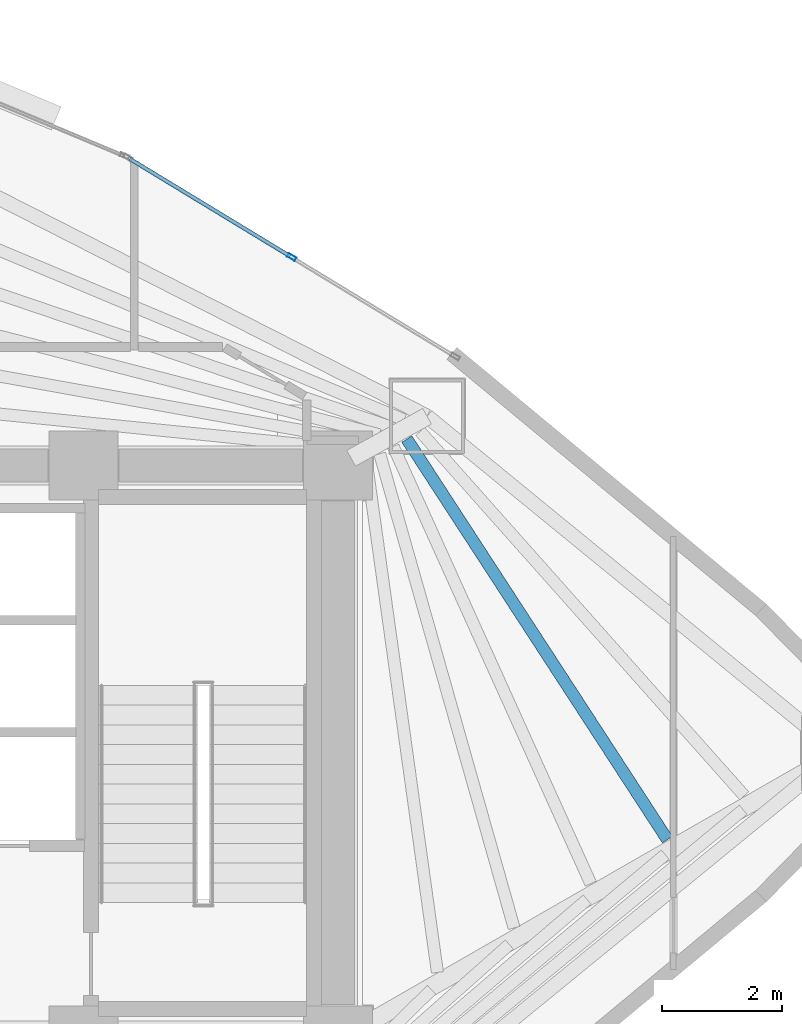
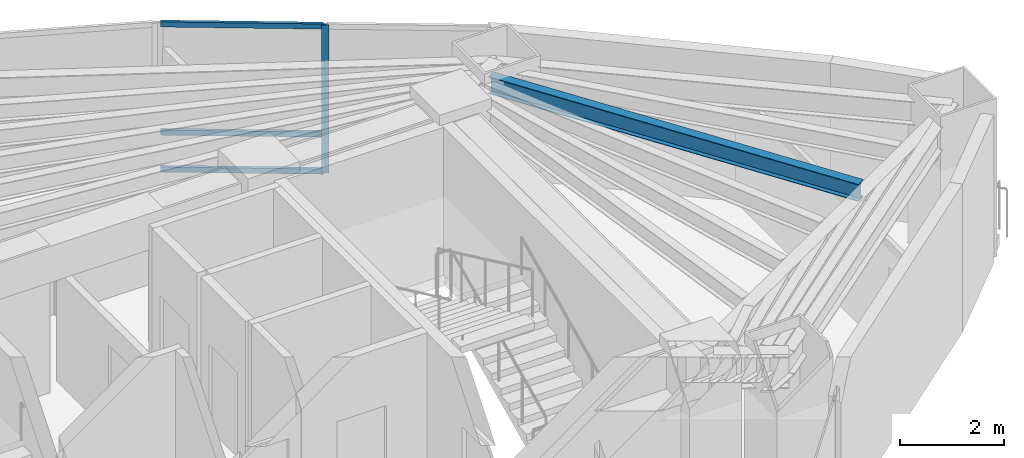
# One storey, part 11 of 18: 4 members, 1 beam, 1 element without a shape of its own.
"""IFC4 building model written with IfcOpenShell, lengths in metres."""

from ifc_helpers import new_model, si_unit, direction, frame, origin, origin_2d, place, context, subcontext, project, spatial, hollow_rectangle, i_section, extrude, material, layer, layer_set, material_profile, profile_set, type_object, element, aggregate, save


model = new_model("IFC4")

# Units and contexts
model_context = context("Model", 3, precision=1e-05, world=origin(), true_north=direction((0.0, 1.0)))
body_context = subcontext(model_context, "Body", "Model", "MODEL_VIEW")
ifc_project = project(units=[si_unit("LENGTHUNIT", "METRE"), si_unit("AREAUNIT", "SQUARE_METRE"), si_unit("VOLUMEUNIT", "CUBIC_METRE"), si_unit("PLANEANGLEUNIT", "RADIAN"), si_unit("MASSUNIT", "GRAM", prefix="KILO")], contexts=[model_context])

# Site, building, storey
site_placement = place(None, origin())
site = spatial("IfcSite", under=ifc_project, at=site_placement, CompositionType="ELEMENT")
building_placement = place(site_placement, origin())
building = spatial("IfcBuilding", under=site, at=building_placement, Name="Menara Vayukalpa", CompositionType="ELEMENT")
storey_placement = place(building_placement, frame((0.0, 0.0, 130.02001953125)))
storey = spatial("IfcBuildingStorey", under=building, at=storey_placement, Name="L32", CompositionType="ELEMENT", Elevation=130.02001953125)

# Beam
ifc_material_1 = material(Name="Steel S355", Category="steel")
ifc_material_profile_1 = material_profile(ifc_material_1, i_section(OverallWidth=0.199951171875, OverallDepth=0.39990234375, WebThickness=0.008056640625, FlangeThickness=0.012939453125, at=origin_2d()), Name="WF 400x200x8x13")
ifc_profile_set_1 = profile_set([ifc_material_profile_1], Name="Steel S355")
beam_type = type_object("IfcBeamType", Name="BM-SJ2", PredefinedType="JOIST", material=ifc_profile_set_1)
beam_placement = place(storey_placement, frame((38.89990234375, 20.552734375, 3.27001953125), z_axis=(-0.545359331823, 0.83820236172, 0.0), x_axis=(-0.83820236172, -0.545359331823, 0.0)))
element("IfcBeam", 1, at=beam_placement, inside=storey, type_object=beam_type, Name="L32 Secondary Floor Joist SJ01-4", PredefinedType="JOIST", context=body_context, shape_type="SweptSolid", body=[
    extrude(i_section(OverallWidth=0.199951171875, OverallDepth=0.39990234375, WebThickness=0.008056640625, FlangeThickness=0.012939453125, at=origin_2d()), origin(), (0.0, 0.0, 1.0), 7.979248046875),
])

# Curtain wall, members
ifc_material_2 = material(Name="Anodised Terracotta Aluminium Alloy 6063-T6", Category="masonry")
ifc_layer = layer(ifc_material_2, 0.14990234375)
ifc_layer_set = layer_set([ifc_layer], Name="Anodised Terracotta Aluminium Alloy 6063-T6")
curtain_wall_type = type_object("IfcCurtainWallType", Name="CW-CW3", PredefinedType="USERDEFINED", material=ifc_layer_set)
curtain_wall_placement = place(storey_placement, origin())
curtain_wall = element("IfcCurtainWall", 2, at=curtain_wall_placement, inside=storey, type_object=curtain_wall_type, Name="L32 Mid Rise Terracotta Ribbon Curtain Wall CW3 04", ObjectType="UNITISED", PredefinedType="USERDEFINED")
ifc_material_3 = material(Name="Anodised Terracotta Aluminium Alloy 6063-T6", Category="masonry")
ifc_material_profile_2 = material_profile(ifc_material_3, hollow_rectangle(XDim=0.06494140625, YDim=0.14990234375, WallThickness=0.00341796875, at=origin_2d()), Name="ALU 65x150x3.5")
ifc_profile_set_2 = profile_set([ifc_material_profile_2], Name="Anodised Terracotta Aluminium Alloy 6063-T6")
member_type_1 = type_object("IfcMemberType", Name="CWM-CW3", PredefinedType="MULLION", material=ifc_profile_set_2)
member_1_placement = place(storey_placement, frame((32.6259765625, 30.278564453125, 0.0), z_axis=(0.0, 0.0, 1.0), x_axis=(-0.519182959112, -0.854663123674, 0.0)))
member_1 = element("IfcMember", 3, at=member_1_placement, type_object=member_type_1, Name="CW3 mullion 2", PredefinedType="MULLION", context=body_context, shape_type="SweptSolid", body=[
    extrude(hollow_rectangle(XDim=0.06494140625, YDim=0.14990234375, WallThickness=0.00341796875, at=origin_2d()), origin(), (0.0, 0.0, 1.0), 3.469970703125),
])
ifc_material_4 = material(Name="Anodised Terracotta Aluminium Alloy 6063-T6", Category="masonry")
ifc_material_profile_3 = material_profile(ifc_material_4, hollow_rectangle(XDim=0.06494140625, YDim=0.1201171875, WallThickness=0.00341796875, at=origin_2d()), Name="ALU 65x120x3.5")
ifc_profile_set_3 = profile_set([ifc_material_profile_3], Name="Anodised Terracotta Aluminium Alloy 6063-T6")
member_type_2 = type_object("IfcMemberType", Name="CWT-CW3", PredefinedType="USERDEFINED", material=ifc_profile_set_3)
member_2_placement = place(storey_placement, frame((32.59814453125, 30.29541015625, 0.032470703125), z_axis=(-0.854673871166, 0.519165266506, 0.0), x_axis=(-0.519165266506, -0.854673871166, 0.0)))
member_2 = element("IfcMember", 4, at=member_2_placement, type_object=member_type_2, Name="CW3 transom 2.1", ObjectType="TRANSOM", PredefinedType="USERDEFINED", context=body_context, shape_type="SweptSolid", body=[
    extrude(hollow_rectangle(XDim=0.06494140625, YDim=0.1201171875, WallThickness=0.00341796875, at=origin_2d()), origin(), (0.0, 0.0, 1.0), 3.1318359375),
])
member_3_placement = place(storey_placement, frame((32.59814453125, 30.29541015625, 0.89990234375), z_axis=(-0.854673871166, 0.519165266506, 0.0), x_axis=(-0.519165266506, -0.854673871166, 0.0)))
member_3 = element("IfcMember", 5, at=member_3_placement, type_object=member_type_2, Name="CW3 transom 2.2", ObjectType="TRANSOM", PredefinedType="USERDEFINED", context=body_context, shape_type="SweptSolid", body=[
    extrude(hollow_rectangle(XDim=0.06494140625, YDim=0.1201171875, WallThickness=0.00341796875, at=origin_2d()), origin(), (0.0, 0.0, 1.0), 3.1318359375),
])
member_4_placement = place(storey_placement, frame((32.59814453125, 30.29541015625, 3.4375), z_axis=(-0.854673871166, 0.519165266506, 0.0), x_axis=(-0.519165266506, -0.854673871166, 0.0)))
member_4 = element("IfcMember", 6, at=member_4_placement, type_object=member_type_2, Name="CW3 transom 2.3", ObjectType="TRANSOM", PredefinedType="USERDEFINED", context=body_context, shape_type="SweptSolid", body=[
    extrude(hollow_rectangle(XDim=0.06494140625, YDim=0.1201171875, WallThickness=0.00341796875, at=origin_2d()), origin(), (0.0, 0.0, 1.0), 3.1318359375),
])
aggregate(curtain_wall, [member_1, member_2, member_3, member_4])

save(model, "model.ifc")
